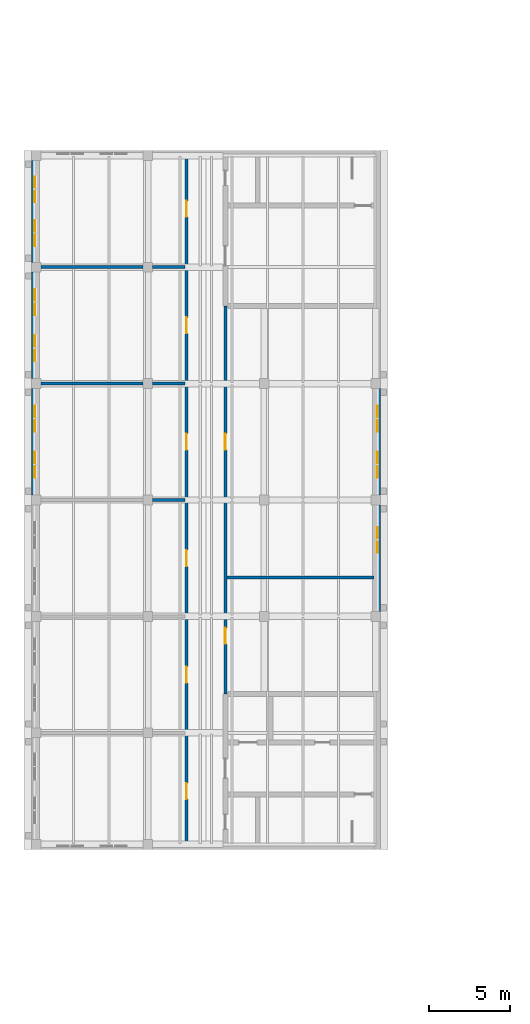
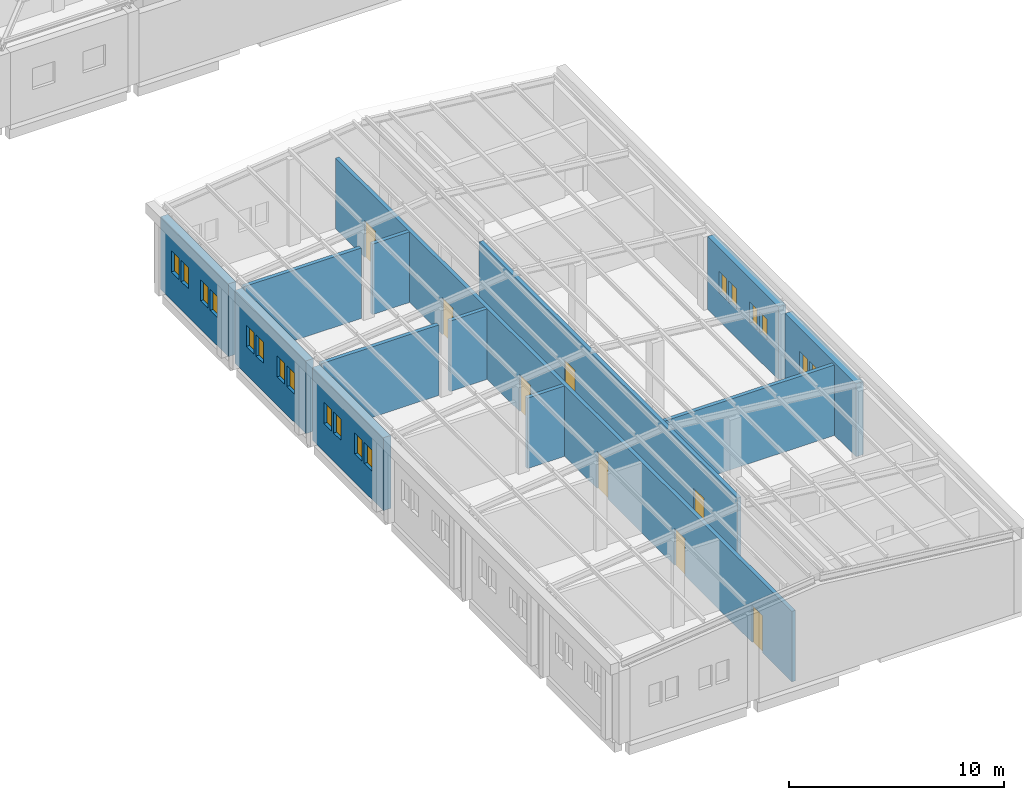
# One storey, part 31 of 48: 18 windows, 13 walls, 8 doors, 26 openings.
"""IFC4 building model written with IfcOpenShell, lengths in metres."""

from ifc_helpers import new_model, si_unit, direction, frame, frame_2d, origin, place, context, subcontext, project, spatial, rectangle, extrude, material, layer, layer_set, type_object, element, fill, save


model = new_model("IFC4")

# Units and contexts
model_context = context("Model", 3, precision=1e-05, world=origin(), true_north=direction((0.0, 1.0)))
body_context = subcontext(model_context, "Body", "Model", "MODEL_VIEW")
ifc_project = project(units=[si_unit("LENGTHUNIT", "METRE"), si_unit("AREAUNIT", "SQUARE_METRE"), si_unit("VOLUMEUNIT", "CUBIC_METRE"), si_unit("PLANEANGLEUNIT", "RADIAN"), si_unit("MASSUNIT", "GRAM", prefix="KILO")], contexts=[model_context])

# Site, building, storey
site_placement = place(None, origin())
site = spatial("IfcSite", under=ifc_project, at=site_placement, CompositionType="ELEMENT")
building_placement = place(site_placement, origin())
building = spatial("IfcBuilding", under=site, at=building_placement, Name="Alderwick Market Hall", CompositionType="ELEMENT")
storey_placement = place(building_placement, frame((0.0, 0.0, 14.39990234375)))
storey = spatial("IfcBuildingStorey", under=building, at=storey_placement, Name="L02", CompositionType="ELEMENT", Elevation=14.39990234375)

# Wall, openings, windows
ifc_material_1 = material(Name="Face brick", Category="masonry")
ifc_layer_1 = layer(ifc_material_1, 0.39990234375)
ifc_layer_set_1 = layer_set([ifc_layer_1], Name="Face brick")
wall_type_1 = type_object("IfcWallType", Name="B Brick Cavity Wall 400", PredefinedType="SOLIDWALL", material=ifc_layer_set_1)
wall_1_placement = place(storey_placement, frame((21.800048828125, 50.699951171875, 0.0), z_axis=(0.0, 0.0, 1.0), x_axis=(0.0, 1.0, 0.0)))
wall_1 = element("IfcWall", 1, at=wall_1_placement, inside=storey, type_object=wall_type_1, Name="B.S.wall.L02.023", PredefinedType="SOLIDWALL", context=body_context, shape_type="SweptSolid", body=[
    extrude(rectangle(XDim=6.60009765625, YDim=0.39990234375, at=frame_2d((3.300048828125, 0.0))), origin(), (0.0, 0.0, 1.0), 4.133056640625),
])
opening_1_placement = place(wall_1_placement, frame((1.074951171875, 0.0, 1.60009765625)))
opening_1 = element("IfcOpeningElement", 2, at=opening_1_placement, cuts=wall_1, Name="Opening B-W168", PredefinedType="OPENING", context=body_context, shape_type="SweptSolid", body=[
    extrude(rectangle(XDim=0.699951171875, YDim=1.199951171875, at=frame_2d((0.35009765625, 0.60009765625))), frame((0.0, 0.2099609375, 0.0), z_axis=(0.0, -1.0, 0.0), x_axis=(1.0, 0.0, 0.0)), (0.0, 0.0, 1.0), 0.419921875),
])
opening_2_placement = place(wall_1_placement, frame((1.97509765625, 0.0, 1.60009765625)))
opening_2 = element("IfcOpeningElement", 3, at=opening_2_placement, cuts=wall_1, Name="Opening B-W169", PredefinedType="OPENING", context=body_context, shape_type="SweptSolid", body=[
    extrude(rectangle(XDim=0.699951171875, YDim=1.199951171875, at=frame_2d((0.35009765625, 0.60009765625))), frame((0.0, 0.2099609375, 0.0), z_axis=(0.0, -1.0, 0.0), x_axis=(1.0, 0.0, 0.0)), (0.0, 0.0, 1.0), 0.419921875),
])
opening_3_placement = place(wall_1_placement, frame((3.925048828125, 0.0, 1.60009765625)))
opening_3 = element("IfcOpeningElement", 4, at=opening_3_placement, cuts=wall_1, Name="Opening B-W170", PredefinedType="OPENING", context=body_context, shape_type="SweptSolid", body=[
    extrude(rectangle(XDim=0.699951171875, YDim=1.199951171875, at=frame_2d((0.35009765625, 0.60009765625))), frame((0.0, 0.2099609375, 0.0), z_axis=(0.0, -1.0, 0.0), x_axis=(1.0, 0.0, 0.0)), (0.0, 0.0, 1.0), 0.419921875),
])
opening_4_placement = place(wall_1_placement, frame((4.824951171875, 0.0, 1.60009765625)))
opening_4 = element("IfcOpeningElement", 5, at=opening_4_placement, cuts=wall_1, Name="Opening B-W171", PredefinedType="OPENING", context=body_context, shape_type="SweptSolid", body=[
    extrude(rectangle(XDim=0.699951171875, YDim=1.199951171875, at=frame_2d((0.35009765625, 0.60009765625))), frame((0.0, 0.2099609375, 0.0), z_axis=(0.0, -1.0, 0.0), x_axis=(1.0, 0.0, 0.0)), (0.0, 0.0, 1.0), 0.419921875),
])
ifc_material_2 = material(Name="Aluminium frame", Category="aluminium")
window_type = type_object("IfcWindowType", Name="B Attic Window 700x1200", PartitioningType="SINGLE_PANEL", PredefinedType="WINDOW", material=ifc_material_2)
window_1_placement = place(opening_1_placement, origin())
window_1 = element("IfcWindow", 6, at=window_1_placement, inside=storey, type_object=window_type, Name="Window B-W168", OverallHeight=1.199951171875, OverallWidth=0.699951171875, PartitioningType="SINGLE_PANEL", PredefinedType="WINDOW", context=body_context, shape_type="SweptSolid", body=[
    extrude(rectangle(XDim=0.699951171875, YDim=1.199951171875, at=frame_2d((0.35009765625, 0.60009765625))), frame((0.0, 0.030029296875, 0.0), z_axis=(0.0, -1.0, 0.0), x_axis=(1.0, 0.0, 0.0)), (0.0, 0.0, 1.0), 0.06005859375),
])
fill(opening_1, window_1)
window_2_placement = place(opening_2_placement, origin())
window_2 = element("IfcWindow", 7, at=window_2_placement, inside=storey, type_object=window_type, Name="Window B-W169", OverallHeight=1.199951171875, OverallWidth=0.699951171875, PartitioningType="SINGLE_PANEL", PredefinedType="WINDOW", context=body_context, shape_type="SweptSolid", body=[
    extrude(rectangle(XDim=0.699951171875, YDim=1.199951171875, at=frame_2d((0.35009765625, 0.60009765625))), frame((0.0, 0.030029296875, 0.0), z_axis=(0.0, -1.0, 0.0), x_axis=(1.0, 0.0, 0.0)), (0.0, 0.0, 1.0), 0.06005859375),
])
fill(opening_2, window_2)
window_3_placement = place(opening_3_placement, origin())
window_3 = element("IfcWindow", 8, at=window_3_placement, inside=storey, type_object=window_type, Name="Window B-W170", OverallHeight=1.199951171875, OverallWidth=0.699951171875, PartitioningType="SINGLE_PANEL", PredefinedType="WINDOW", context=body_context, shape_type="SweptSolid", body=[
    extrude(rectangle(XDim=0.699951171875, YDim=1.199951171875, at=frame_2d((0.35009765625, 0.60009765625))), frame((0.0, 0.030029296875, 0.0), z_axis=(0.0, -1.0, 0.0), x_axis=(1.0, 0.0, 0.0)), (0.0, 0.0, 1.0), 0.06005859375),
])
fill(opening_3, window_3)
window_4_placement = place(opening_4_placement, origin())
window_4 = element("IfcWindow", 9, at=window_4_placement, inside=storey, type_object=window_type, Name="Window B-W171", OverallHeight=1.199951171875, OverallWidth=0.699951171875, PartitioningType="SINGLE_PANEL", PredefinedType="WINDOW", context=body_context, shape_type="SweptSolid", body=[
    extrude(rectangle(XDim=0.699951171875, YDim=1.199951171875, at=frame_2d((0.35009765625, 0.60009765625))), frame((0.0, 0.030029296875, 0.0), z_axis=(0.0, -1.0, 0.0), x_axis=(1.0, 0.0, 0.0)), (0.0, 0.0, 1.0), 0.06005859375),
])
fill(opening_4, window_4)

wall_2_placement = place(storey_placement, frame((21.800048828125, 57.89990234375, 0.0), z_axis=(0.0, 0.0, 1.0), x_axis=(0.0, 1.0, 0.0)))
wall_2 = element("IfcWall", 10, at=wall_2_placement, inside=storey, type_object=wall_type_1, Name="B.S.wall.L02.024", PredefinedType="SOLIDWALL", context=body_context, shape_type="SweptSolid", body=[
    extrude(rectangle(XDim=6.60009765625, YDim=0.39990234375, at=frame_2d((3.300048828125, 0.0))), origin(), (0.0, 0.0, 1.0), 4.133056640625),
])
opening_5_placement = place(wall_2_placement, frame((1.074951171875, 0.0, 1.60009765625)))
opening_5 = element("IfcOpeningElement", 11, at=opening_5_placement, cuts=wall_2, Name="Opening B-W172", PredefinedType="OPENING", context=body_context, shape_type="SweptSolid", body=[
    extrude(rectangle(XDim=0.699951171875, YDim=1.199951171875, at=frame_2d((0.35009765625, 0.60009765625))), frame((0.0, 0.2099609375, 0.0), z_axis=(0.0, -1.0, 0.0), x_axis=(1.0, 0.0, 0.0)), (0.0, 0.0, 1.0), 0.419921875),
])
opening_6_placement = place(wall_2_placement, frame((1.97509765625, 0.0, 1.60009765625)))
opening_6 = element("IfcOpeningElement", 12, at=opening_6_placement, cuts=wall_2, Name="Opening B-W173", PredefinedType="OPENING", context=body_context, shape_type="SweptSolid", body=[
    extrude(rectangle(XDim=0.699951171875, YDim=1.199951171875, at=frame_2d((0.35009765625, 0.60009765625))), frame((0.0, 0.2099609375, 0.0), z_axis=(0.0, -1.0, 0.0), x_axis=(1.0, 0.0, 0.0)), (0.0, 0.0, 1.0), 0.419921875),
])
opening_7_placement = place(wall_2_placement, frame((3.925048828125, 0.0, 1.60009765625)))
opening_7 = element("IfcOpeningElement", 13, at=opening_7_placement, cuts=wall_2, Name="Opening B-W174", PredefinedType="OPENING", context=body_context, shape_type="SweptSolid", body=[
    extrude(rectangle(XDim=0.699951171875, YDim=1.199951171875, at=frame_2d((0.35009765625, 0.60009765625))), frame((0.0, 0.2099609375, 0.0), z_axis=(0.0, -1.0, 0.0), x_axis=(1.0, 0.0, 0.0)), (0.0, 0.0, 1.0), 0.419921875),
])
opening_8_placement = place(wall_2_placement, frame((4.824951171875, 0.0, 1.60009765625)))
opening_8 = element("IfcOpeningElement", 14, at=opening_8_placement, cuts=wall_2, Name="Opening B-W175", PredefinedType="OPENING", context=body_context, shape_type="SweptSolid", body=[
    extrude(rectangle(XDim=0.699951171875, YDim=1.199951171875, at=frame_2d((0.35009765625, 0.60009765625))), frame((0.0, 0.2099609375, 0.0), z_axis=(0.0, -1.0, 0.0), x_axis=(1.0, 0.0, 0.0)), (0.0, 0.0, 1.0), 0.419921875),
])
window_5_placement = place(opening_5_placement, origin())
window_5 = element("IfcWindow", 15, at=window_5_placement, inside=storey, type_object=window_type, Name="Window B-W172", OverallHeight=1.199951171875, OverallWidth=0.699951171875, PartitioningType="SINGLE_PANEL", PredefinedType="WINDOW", context=body_context, shape_type="SweptSolid", body=[
    extrude(rectangle(XDim=0.699951171875, YDim=1.199951171875, at=frame_2d((0.35009765625, 0.60009765625))), frame((0.0, 0.030029296875, 0.0), z_axis=(0.0, -1.0, 0.0), x_axis=(1.0, 0.0, 0.0)), (0.0, 0.0, 1.0), 0.06005859375),
])
fill(opening_5, window_5)
window_6_placement = place(opening_6_placement, origin())
window_6 = element("IfcWindow", 16, at=window_6_placement, inside=storey, type_object=window_type, Name="Window B-W173", OverallHeight=1.199951171875, OverallWidth=0.699951171875, PartitioningType="SINGLE_PANEL", PredefinedType="WINDOW", context=body_context, shape_type="SweptSolid", body=[
    extrude(rectangle(XDim=0.699951171875, YDim=1.199951171875, at=frame_2d((0.35009765625, 0.60009765625))), frame((0.0, 0.030029296875, 0.0), z_axis=(0.0, -1.0, 0.0), x_axis=(1.0, 0.0, 0.0)), (0.0, 0.0, 1.0), 0.06005859375),
])
fill(opening_6, window_6)
window_7_placement = place(opening_7_placement, origin())
window_7 = element("IfcWindow", 17, at=window_7_placement, inside=storey, type_object=window_type, Name="Window B-W174", OverallHeight=1.199951171875, OverallWidth=0.699951171875, PartitioningType="SINGLE_PANEL", PredefinedType="WINDOW", context=body_context, shape_type="SweptSolid", body=[
    extrude(rectangle(XDim=0.699951171875, YDim=1.199951171875, at=frame_2d((0.35009765625, 0.60009765625))), frame((0.0, 0.030029296875, 0.0), z_axis=(0.0, -1.0, 0.0), x_axis=(1.0, 0.0, 0.0)), (0.0, 0.0, 1.0), 0.06005859375),
])
fill(opening_7, window_7)
window_8_placement = place(opening_8_placement, origin())
window_8 = element("IfcWindow", 18, at=window_8_placement, inside=storey, type_object=window_type, Name="Window B-W175", OverallHeight=1.199951171875, OverallWidth=0.699951171875, PartitioningType="SINGLE_PANEL", PredefinedType="WINDOW", context=body_context, shape_type="SweptSolid", body=[
    extrude(rectangle(XDim=0.699951171875, YDim=1.199951171875, at=frame_2d((0.35009765625, 0.60009765625))), frame((0.0, 0.030029296875, 0.0), z_axis=(0.0, -1.0, 0.0), x_axis=(1.0, 0.0, 0.0)), (0.0, 0.0, 1.0), 0.06005859375),
])
fill(opening_8, window_8)

wall_3_placement = place(storey_placement, frame((21.800048828125, 65.10009765625, 0.0), z_axis=(0.0, 0.0, 1.0), x_axis=(0.0, 1.0, 0.0)))
wall_3 = element("IfcWall", 19, at=wall_3_placement, inside=storey, type_object=wall_type_1, Name="B.S.wall.L02.025", PredefinedType="SOLIDWALL", context=body_context, shape_type="SweptSolid", body=[
    extrude(rectangle(XDim=6.2998046875, YDim=0.39990234375, at=frame_2d((3.14990234375, 0.0))), origin(), (0.0, 0.0, 1.0), 4.133056640625),
])
opening_9_placement = place(wall_3_placement, frame((1.0, 0.0, 1.60009765625)))
opening_9 = element("IfcOpeningElement", 20, at=opening_9_placement, cuts=wall_3, Name="Opening B-W176", PredefinedType="OPENING", context=body_context, shape_type="SweptSolid", body=[
    extrude(rectangle(XDim=0.699951171875, YDim=1.199951171875, at=frame_2d((0.35009765625, 0.60009765625))), frame((0.0, 0.2099609375, 0.0), z_axis=(0.0, -1.0, 0.0), x_axis=(1.0, 0.0, 0.0)), (0.0, 0.0, 1.0), 0.419921875),
])
opening_10_placement = place(wall_3_placement, frame((1.89990234375, 0.0, 1.60009765625)))
opening_10 = element("IfcOpeningElement", 21, at=opening_10_placement, cuts=wall_3, Name="Opening B-W177", PredefinedType="OPENING", context=body_context, shape_type="SweptSolid", body=[
    extrude(rectangle(XDim=0.699951171875, YDim=1.199951171875, at=frame_2d((0.35009765625, 0.60009765625))), frame((0.0, 0.2099609375, 0.0), z_axis=(0.0, -1.0, 0.0), x_axis=(1.0, 0.0, 0.0)), (0.0, 0.0, 1.0), 0.419921875),
])
opening_11_placement = place(wall_3_placement, frame((3.699951171875, 0.0, 1.60009765625)))
opening_11 = element("IfcOpeningElement", 22, at=opening_11_placement, cuts=wall_3, Name="Opening B-W178", PredefinedType="OPENING", context=body_context, shape_type="SweptSolid", body=[
    extrude(rectangle(XDim=0.699951171875, YDim=1.199951171875, at=frame_2d((0.35009765625, 0.60009765625))), frame((0.0, 0.2099609375, 0.0), z_axis=(0.0, -1.0, 0.0), x_axis=(1.0, 0.0, 0.0)), (0.0, 0.0, 1.0), 0.419921875),
])
opening_12_placement = place(wall_3_placement, frame((4.60009765625, 0.0, 1.60009765625)))
opening_12 = element("IfcOpeningElement", 23, at=opening_12_placement, cuts=wall_3, Name="Opening B-W179", PredefinedType="OPENING", context=body_context, shape_type="SweptSolid", body=[
    extrude(rectangle(XDim=0.699951171875, YDim=1.199951171875, at=frame_2d((0.35009765625, 0.60009765625))), frame((0.0, 0.2099609375, 0.0), z_axis=(0.0, -1.0, 0.0), x_axis=(1.0, 0.0, 0.0)), (0.0, 0.0, 1.0), 0.419921875),
])
window_9_placement = place(opening_9_placement, origin())
window_9 = element("IfcWindow", 24, at=window_9_placement, inside=storey, type_object=window_type, Name="Window B-W176", OverallHeight=1.199951171875, OverallWidth=0.699951171875, PartitioningType="SINGLE_PANEL", PredefinedType="WINDOW", context=body_context, shape_type="SweptSolid", body=[
    extrude(rectangle(XDim=0.699951171875, YDim=1.199951171875, at=frame_2d((0.35009765625, 0.60009765625))), frame((0.0, 0.030029296875, 0.0), z_axis=(0.0, -1.0, 0.0), x_axis=(1.0, 0.0, 0.0)), (0.0, 0.0, 1.0), 0.06005859375),
])
fill(opening_9, window_9)
window_10_placement = place(opening_10_placement, origin())
window_10 = element("IfcWindow", 25, at=window_10_placement, inside=storey, type_object=window_type, Name="Window B-W177", OverallHeight=1.199951171875, OverallWidth=0.699951171875, PartitioningType="SINGLE_PANEL", PredefinedType="WINDOW", context=body_context, shape_type="SweptSolid", body=[
    extrude(rectangle(XDim=0.699951171875, YDim=1.199951171875, at=frame_2d((0.35009765625, 0.60009765625))), frame((0.0, 0.030029296875, 0.0), z_axis=(0.0, -1.0, 0.0), x_axis=(1.0, 0.0, 0.0)), (0.0, 0.0, 1.0), 0.06005859375),
])
fill(opening_10, window_10)
window_11_placement = place(opening_11_placement, origin())
window_11 = element("IfcWindow", 26, at=window_11_placement, inside=storey, type_object=window_type, Name="Window B-W178", OverallHeight=1.199951171875, OverallWidth=0.699951171875, PartitioningType="SINGLE_PANEL", PredefinedType="WINDOW", context=body_context, shape_type="SweptSolid", body=[
    extrude(rectangle(XDim=0.699951171875, YDim=1.199951171875, at=frame_2d((0.35009765625, 0.60009765625))), frame((0.0, 0.030029296875, 0.0), z_axis=(0.0, -1.0, 0.0), x_axis=(1.0, 0.0, 0.0)), (0.0, 0.0, 1.0), 0.06005859375),
])
fill(opening_11, window_11)
window_12_placement = place(opening_12_placement, origin())
window_12 = element("IfcWindow", 27, at=window_12_placement, inside=storey, type_object=window_type, Name="Window B-W179", OverallHeight=1.199951171875, OverallWidth=0.699951171875, PartitioningType="SINGLE_PANEL", PredefinedType="WINDOW", context=body_context, shape_type="SweptSolid", body=[
    extrude(rectangle(XDim=0.699951171875, YDim=1.199951171875, at=frame_2d((0.35009765625, 0.60009765625))), frame((0.0, 0.030029296875, 0.0), z_axis=(0.0, -1.0, 0.0), x_axis=(1.0, 0.0, 0.0)), (0.0, 0.0, 1.0), 0.06005859375),
])
fill(opening_12, window_12)

wall_4_placement = place(storey_placement, frame((43.0, 43.5, 0.0), z_axis=(0.0, 0.0, 1.0), x_axis=(0.0, 1.0, 0.0)))
wall_4 = element("IfcWall", 28, at=wall_4_placement, inside=storey, type_object=wall_type_1, Name="B.S.wall.L02.034", PredefinedType="SOLIDWALL", context=body_context, shape_type="SweptSolid", body=[
    extrude(rectangle(XDim=6.60009765625, YDim=0.39990234375, at=frame_2d((3.300048828125, 0.0))), origin(), (0.0, 0.0, 1.0), 4.133056640625),
])
opening_13_placement = place(wall_4_placement, frame((3.625, 0.0, 1.60009765625)))
opening_13 = element("IfcOpeningElement", 29, at=opening_13_placement, cuts=wall_4, Name="Opening B-W180", PredefinedType="OPENING", context=body_context, shape_type="SweptSolid", body=[
    extrude(rectangle(XDim=0.699951171875, YDim=1.199951171875, at=frame_2d((0.35009765625, 0.60009765625))), frame((0.0, 0.2099609375, 0.0), z_axis=(0.0, -1.0, 0.0), x_axis=(1.0, 0.0, 0.0)), (0.0, 0.0, 1.0), 0.419921875),
])
opening_14_placement = place(wall_4_placement, frame((4.52490234375, 0.0, 1.60009765625)))
opening_14 = element("IfcOpeningElement", 30, at=opening_14_placement, cuts=wall_4, Name="Opening B-W181", PredefinedType="OPENING", context=body_context, shape_type="SweptSolid", body=[
    extrude(rectangle(XDim=0.699951171875, YDim=1.199951171875, at=frame_2d((0.35009765625, 0.60009765625))), frame((0.0, 0.2099609375, 0.0), z_axis=(0.0, -1.0, 0.0), x_axis=(1.0, 0.0, 0.0)), (0.0, 0.0, 1.0), 0.419921875),
])
window_13_placement = place(opening_13_placement, origin())
window_13 = element("IfcWindow", 31, at=window_13_placement, inside=storey, type_object=window_type, Name="Window B-W180", OverallHeight=1.199951171875, OverallWidth=0.699951171875, PartitioningType="SINGLE_PANEL", PredefinedType="WINDOW", context=body_context, shape_type="SweptSolid", body=[
    extrude(rectangle(XDim=0.699951171875, YDim=1.199951171875, at=frame_2d((0.35009765625, 0.60009765625))), frame((0.0, 0.030029296875, 0.0), z_axis=(0.0, -1.0, 0.0), x_axis=(1.0, 0.0, 0.0)), (0.0, 0.0, 1.0), 0.06005859375),
])
fill(opening_13, window_13)
window_14_placement = place(opening_14_placement, origin())
window_14 = element("IfcWindow", 32, at=window_14_placement, inside=storey, type_object=window_type, Name="Window B-W181", OverallHeight=1.199951171875, OverallWidth=0.699951171875, PartitioningType="SINGLE_PANEL", PredefinedType="WINDOW", context=body_context, shape_type="SweptSolid", body=[
    extrude(rectangle(XDim=0.699951171875, YDim=1.199951171875, at=frame_2d((0.35009765625, 0.60009765625))), frame((0.0, 0.030029296875, 0.0), z_axis=(0.0, -1.0, 0.0), x_axis=(1.0, 0.0, 0.0)), (0.0, 0.0, 1.0), 0.06005859375),
])
fill(opening_14, window_14)

wall_5_placement = place(storey_placement, frame((43.0, 50.699951171875, 0.0), z_axis=(0.0, 0.0, 1.0), x_axis=(0.0, 1.0, 0.0)))
wall_5 = element("IfcWall", 33, at=wall_5_placement, inside=storey, type_object=wall_type_1, Name="B.S.wall.L02.035", PredefinedType="SOLIDWALL", context=body_context, shape_type="SweptSolid", body=[
    extrude(rectangle(XDim=6.60009765625, YDim=0.39990234375, at=frame_2d((3.300048828125, 0.0))), origin(), (0.0, 0.0, 1.0), 4.133056640625),
])
opening_15_placement = place(wall_5_placement, frame((1.074951171875, 0.0, 1.60009765625)))
opening_15 = element("IfcOpeningElement", 34, at=opening_15_placement, cuts=wall_5, Name="Opening B-W182", PredefinedType="OPENING", context=body_context, shape_type="SweptSolid", body=[
    extrude(rectangle(XDim=0.699951171875, YDim=1.199951171875, at=frame_2d((0.35009765625, 0.60009765625))), frame((0.0, 0.2099609375, 0.0), z_axis=(0.0, -1.0, 0.0), x_axis=(1.0, 0.0, 0.0)), (0.0, 0.0, 1.0), 0.419921875),
])
opening_16_placement = place(wall_5_placement, frame((1.97509765625, 0.0, 1.60009765625)))
opening_16 = element("IfcOpeningElement", 35, at=opening_16_placement, cuts=wall_5, Name="Opening B-W183", PredefinedType="OPENING", context=body_context, shape_type="SweptSolid", body=[
    extrude(rectangle(XDim=0.699951171875, YDim=1.199951171875, at=frame_2d((0.35009765625, 0.60009765625))), frame((0.0, 0.2099609375, 0.0), z_axis=(0.0, -1.0, 0.0), x_axis=(1.0, 0.0, 0.0)), (0.0, 0.0, 1.0), 0.419921875),
])
opening_17_placement = place(wall_5_placement, frame((3.925048828125, 0.0, 1.60009765625)))
opening_17 = element("IfcOpeningElement", 36, at=opening_17_placement, cuts=wall_5, Name="Opening B-W184", PredefinedType="OPENING", context=body_context, shape_type="SweptSolid", body=[
    extrude(rectangle(XDim=0.699951171875, YDim=1.199951171875, at=frame_2d((0.35009765625, 0.60009765625))), frame((0.0, 0.2099609375, 0.0), z_axis=(0.0, -1.0, 0.0), x_axis=(1.0, 0.0, 0.0)), (0.0, 0.0, 1.0), 0.419921875),
])
opening_18_placement = place(wall_5_placement, frame((4.824951171875, 0.0, 1.60009765625)))
opening_18 = element("IfcOpeningElement", 37, at=opening_18_placement, cuts=wall_5, Name="Opening B-W185", PredefinedType="OPENING", context=body_context, shape_type="SweptSolid", body=[
    extrude(rectangle(XDim=0.699951171875, YDim=1.199951171875, at=frame_2d((0.35009765625, 0.60009765625))), frame((0.0, 0.2099609375, 0.0), z_axis=(0.0, -1.0, 0.0), x_axis=(1.0, 0.0, 0.0)), (0.0, 0.0, 1.0), 0.419921875),
])
window_15_placement = place(opening_15_placement, origin())
window_15 = element("IfcWindow", 38, at=window_15_placement, inside=storey, type_object=window_type, Name="Window B-W182", OverallHeight=1.199951171875, OverallWidth=0.699951171875, PartitioningType="SINGLE_PANEL", PredefinedType="WINDOW", context=body_context, shape_type="SweptSolid", body=[
    extrude(rectangle(XDim=0.699951171875, YDim=1.199951171875, at=frame_2d((0.35009765625, 0.60009765625))), frame((0.0, 0.030029296875, 0.0), z_axis=(0.0, -1.0, 0.0), x_axis=(1.0, 0.0, 0.0)), (0.0, 0.0, 1.0), 0.06005859375),
])
fill(opening_15, window_15)
window_16_placement = place(opening_16_placement, origin())
window_16 = element("IfcWindow", 39, at=window_16_placement, inside=storey, type_object=window_type, Name="Window B-W183", OverallHeight=1.199951171875, OverallWidth=0.699951171875, PartitioningType="SINGLE_PANEL", PredefinedType="WINDOW", context=body_context, shape_type="SweptSolid", body=[
    extrude(rectangle(XDim=0.699951171875, YDim=1.199951171875, at=frame_2d((0.35009765625, 0.60009765625))), frame((0.0, 0.030029296875, 0.0), z_axis=(0.0, -1.0, 0.0), x_axis=(1.0, 0.0, 0.0)), (0.0, 0.0, 1.0), 0.06005859375),
])
fill(opening_16, window_16)
window_17_placement = place(opening_17_placement, origin())
window_17 = element("IfcWindow", 40, at=window_17_placement, inside=storey, type_object=window_type, Name="Window B-W184", OverallHeight=1.199951171875, OverallWidth=0.699951171875, PartitioningType="SINGLE_PANEL", PredefinedType="WINDOW", context=body_context, shape_type="SweptSolid", body=[
    extrude(rectangle(XDim=0.699951171875, YDim=1.199951171875, at=frame_2d((0.35009765625, 0.60009765625))), frame((0.0, 0.030029296875, 0.0), z_axis=(0.0, -1.0, 0.0), x_axis=(1.0, 0.0, 0.0)), (0.0, 0.0, 1.0), 0.06005859375),
])
fill(opening_17, window_17)
window_18_placement = place(opening_18_placement, origin())
window_18 = element("IfcWindow", 41, at=window_18_placement, inside=storey, type_object=window_type, Name="Window B-W185", OverallHeight=1.199951171875, OverallWidth=0.699951171875, PartitioningType="SINGLE_PANEL", PredefinedType="WINDOW", context=body_context, shape_type="SweptSolid", body=[
    extrude(rectangle(XDim=0.699951171875, YDim=1.199951171875, at=frame_2d((0.35009765625, 0.60009765625))), frame((0.0, 0.030029296875, 0.0), z_axis=(0.0, -1.0, 0.0), x_axis=(1.0, 0.0, 0.0)), (0.0, 0.0, 1.0), 0.06005859375),
])
fill(opening_18, window_18)

# Walls
ifc_material_3 = material(Name="Concrete masonry 3000 psi", Category="masonry")
ifc_layer_2 = layer(ifc_material_3, 0.199951171875)
ifc_layer_set_2 = layer_set([ifc_layer_2], Name="Concrete masonry 3000 psi")
wall_type_2 = type_object("IfcWallType", Name="B Masonry Partition 200", PredefinedType="PARTITIONING", material=ifc_layer_set_2)
wall_6_placement = place(storey_placement, frame((33.699951171875, 45.60009765625, 0.0), z_axis=(0.0, 0.0, 1.0), x_axis=(1.0, 0.0, 0.0)))
element("IfcWall", 42, at=wall_6_placement, inside=storey, type_object=wall_type_2, Name="B.S.wall.L02.009", PredefinedType="PARTITIONING", context=body_context, shape_type="SweptSolid", body=[
    extrude(rectangle(XDim=9.10009765625, YDim=0.199951171875, at=frame_2d((4.550048828125, 0.0))), origin(), (0.0, 0.0, 1.0), 4.0),
])
wall_7_placement = place(storey_placement, frame((29.10009765625, 50.39990234375, 0.0), z_axis=(0.0, 0.0, 1.0), x_axis=(1.0, 0.0, 0.0)))
element("IfcWall", 43, at=wall_7_placement, inside=storey, type_object=wall_type_2, Name="B.S.wall.L02.011", PredefinedType="PARTITIONING", context=body_context, shape_type="SweptSolid", body=[
    extrude(rectangle(XDim=2.0, YDim=0.199951171875, at=frame_2d((1.0, 0.0))), origin(), (0.0, 0.0, 1.0), 4.0),
])
wall_8_placement = place(storey_placement, frame((22.199951171875, 57.60009765625, 0.0), z_axis=(0.0, 0.0, 1.0), x_axis=(1.0, 0.0, 0.0)))
element("IfcWall", 44, at=wall_8_placement, inside=storey, type_object=wall_type_2, Name="B.S.wall.L02.012", PredefinedType="PARTITIONING", context=body_context, shape_type="SweptSolid", body=[
    extrude(rectangle(XDim=6.300048828125, YDim=0.199951171875, at=frame_2d((3.14990234375, 0.0))), origin(), (0.0, 0.0, 1.0), 4.0),
])
wall_9_placement = place(storey_placement, frame((29.10009765625, 57.60009765625, 0.0), z_axis=(0.0, 0.0, 1.0), x_axis=(1.0, 0.0, 0.0)))
element("IfcWall", 45, at=wall_9_placement, inside=storey, type_object=wall_type_2, Name="B.S.wall.L02.013", PredefinedType="PARTITIONING", context=body_context, shape_type="SweptSolid", body=[
    extrude(rectangle(XDim=2.0, YDim=0.199951171875, at=frame_2d((1.0, 0.0))), origin(), (0.0, 0.0, 1.0), 4.0),
])
wall_10_placement = place(storey_placement, frame((22.199951171875, 64.800048828125, 0.0), z_axis=(0.0, 0.0, 1.0), x_axis=(1.0, 0.0, 0.0)))
element("IfcWall", 46, at=wall_10_placement, inside=storey, type_object=wall_type_2, Name="B.S.wall.L02.015", PredefinedType="PARTITIONING", context=body_context, shape_type="SweptSolid", body=[
    extrude(rectangle(XDim=6.300048828125, YDim=0.199951171875, at=frame_2d((3.14990234375, 0.0))), origin(), (0.0, 0.0, 1.0), 4.0),
])
wall_11_placement = place(storey_placement, frame((29.10009765625, 64.800048828125, 0.0), z_axis=(0.0, 0.0, 1.0), x_axis=(1.0, 0.0, 0.0)))
element("IfcWall", 47, at=wall_11_placement, inside=storey, type_object=wall_type_2, Name="B.S.wall.L02.016", PredefinedType="PARTITIONING", context=body_context, shape_type="SweptSolid", body=[
    extrude(rectangle(XDim=2.0, YDim=0.199951171875, at=frame_2d((1.0, 0.0))), origin(), (0.0, 0.0, 1.0), 4.0),
])

# Wall, openings, doors
wall_12_placement = place(storey_placement, frame((31.199951171875, 29.199951171875, 0.0), z_axis=(0.0, 0.0, 1.0), x_axis=(0.0, 1.0, 0.0)))
wall_12 = element("IfcWall", 48, at=wall_12_placement, inside=storey, type_object=wall_type_2, Name="B.S.wall.L02.026", PredefinedType="PARTITIONING", context=body_context, shape_type="SweptSolid", body=[
    extrude(rectangle(XDim=42.400146484375, YDim=0.199951171875, at=frame_2d((21.2001953125, 0.0))), origin(), (0.0, 0.0, 1.0), 4.0),
])
opening_19_placement = place(wall_12_placement, frame((2.699951171875, 0.0, 0.0)))
opening_19 = element("IfcOpeningElement", 49, at=opening_19_placement, cuts=wall_12, Name="Opening B-D128", PredefinedType="OPENING", context=body_context, shape_type="SweptSolid", body=[
    extrude(rectangle(XDim=1.0, YDim=2.10009765625, at=frame_2d((0.5, 1.050048828125))), frame((0.0, 0.10986328125, 0.0), z_axis=(0.0, -1.0, 0.0), x_axis=(1.0, 0.0, 0.0)), (0.0, 0.0, 1.0), 0.219970703125),
])
opening_20_placement = place(wall_12_placement, frame((9.89990234375, 0.0, 0.0)))
opening_20 = element("IfcOpeningElement", 50, at=opening_20_placement, cuts=wall_12, Name="Opening B-D129", PredefinedType="OPENING", context=body_context, shape_type="SweptSolid", body=[
    extrude(rectangle(XDim=1.0, YDim=2.10009765625, at=frame_2d((0.5, 1.050048828125))), frame((0.0, 0.10986328125, 0.0), z_axis=(0.0, -1.0, 0.0), x_axis=(1.0, 0.0, 0.0)), (0.0, 0.0, 1.0), 0.219970703125),
])
opening_21_placement = place(wall_12_placement, frame((17.10009765625, 0.0, 0.0)))
opening_21 = element("IfcOpeningElement", 51, at=opening_21_placement, cuts=wall_12, Name="Opening B-D130", PredefinedType="OPENING", context=body_context, shape_type="SweptSolid", body=[
    extrude(rectangle(XDim=1.0, YDim=2.10009765625, at=frame_2d((0.5, 1.050048828125))), frame((0.0, 0.10986328125, 0.0), z_axis=(0.0, -1.0, 0.0), x_axis=(1.0, 0.0, 0.0)), (0.0, 0.0, 1.0), 0.219970703125),
])
opening_22_placement = place(wall_12_placement, frame((24.300048828125, 0.0, 0.0)))
opening_22 = element("IfcOpeningElement", 52, at=opening_22_placement, cuts=wall_12, Name="Opening B-D131", PredefinedType="OPENING", context=body_context, shape_type="SweptSolid", body=[
    extrude(rectangle(XDim=1.0, YDim=2.10009765625, at=frame_2d((0.5, 1.050048828125))), frame((0.0, 0.10986328125, 0.0), z_axis=(0.0, -1.0, 0.0), x_axis=(1.0, 0.0, 0.0)), (0.0, 0.0, 1.0), 0.219970703125),
])
opening_23_placement = place(wall_12_placement, frame((31.5, 0.0, 0.0)))
opening_23 = element("IfcOpeningElement", 53, at=opening_23_placement, cuts=wall_12, Name="Opening B-D132", PredefinedType="OPENING", context=body_context, shape_type="SweptSolid", body=[
    extrude(rectangle(XDim=1.0, YDim=2.10009765625, at=frame_2d((0.5, 1.050048828125))), frame((0.0, 0.10986328125, 0.0), z_axis=(0.0, -1.0, 0.0), x_axis=(1.0, 0.0, 0.0)), (0.0, 0.0, 1.0), 0.219970703125),
])
opening_24_placement = place(wall_12_placement, frame((38.699951171875, 0.0, 0.0)))
opening_24 = element("IfcOpeningElement", 54, at=opening_24_placement, cuts=wall_12, Name="Opening B-D133", PredefinedType="OPENING", context=body_context, shape_type="SweptSolid", body=[
    extrude(rectangle(XDim=1.0, YDim=2.10009765625, at=frame_2d((0.5, 1.050048828125))), frame((0.0, 0.10986328125, 0.0), z_axis=(0.0, -1.0, 0.0), x_axis=(1.0, 0.0, 0.0)), (0.0, 0.0, 1.0), 0.219970703125),
])
ifc_material_4 = material(Name="Hollow metal door and frame")
door_type = type_object("IfcDoorType", Name="B Door 1000x2100", OperationType="SINGLE_SWING_LEFT", PredefinedType="DOOR", material=ifc_material_4)
door_1_placement = place(opening_19_placement, origin())
door_1 = element("IfcDoor", 55, at=door_1_placement, inside=storey, type_object=door_type, Name="Market Office door", OperationType="SINGLE_SWING_RIGHT", OverallHeight=2.10009765625, OverallWidth=1.0, PredefinedType="DOOR", context=body_context, shape_type="SweptSolid", body=[
    extrude(rectangle(XDim=1.0, YDim=2.10009765625, at=frame_2d((0.5, 1.050048828125))), frame((0.0, 0.02490234375, 0.0), z_axis=(0.0, -1.0, 0.0), x_axis=(1.0, 0.0, 0.0)), (0.0, 0.0, 1.0), 0.050048828125),
])
fill(opening_19, door_1)
door_2_placement = place(opening_20_placement, origin())
door_2 = element("IfcDoor", 56, at=door_2_placement, inside=storey, type_object=door_type, Name="Market Office door", OperationType="SINGLE_SWING_LEFT", OverallHeight=2.10009765625, OverallWidth=1.0, PredefinedType="DOOR", context=body_context, shape_type="SweptSolid", body=[
    extrude(rectangle(XDim=1.0, YDim=2.10009765625, at=frame_2d((0.5, 1.050048828125))), frame((0.0, 0.02490234375, 0.0), z_axis=(0.0, -1.0, 0.0), x_axis=(1.0, 0.0, 0.0)), (0.0, 0.0, 1.0), 0.050048828125),
])
fill(opening_20, door_2)
door_3_placement = place(opening_21_placement, origin())
door_3 = element("IfcDoor", 57, at=door_3_placement, inside=storey, type_object=door_type, Name="Market Office door", OperationType="SINGLE_SWING_RIGHT", OverallHeight=2.10009765625, OverallWidth=1.0, PredefinedType="DOOR", context=body_context, shape_type="SweptSolid", body=[
    extrude(rectangle(XDim=1.0, YDim=2.10009765625, at=frame_2d((0.5, 1.050048828125))), frame((0.0, 0.02490234375, 0.0), z_axis=(0.0, -1.0, 0.0), x_axis=(1.0, 0.0, 0.0)), (0.0, 0.0, 1.0), 0.050048828125),
])
fill(opening_21, door_3)
door_4_placement = place(opening_22_placement, origin())
door_4 = element("IfcDoor", 58, at=door_4_placement, inside=storey, type_object=door_type, Name="Staff Kitchen door", OperationType="SINGLE_SWING_LEFT", OverallHeight=2.10009765625, OverallWidth=1.0, PredefinedType="DOOR", context=body_context, shape_type="SweptSolid", body=[
    extrude(rectangle(XDim=1.0, YDim=2.10009765625, at=frame_2d((0.5, 1.050048828125))), frame((0.0, 0.02490234375, 0.0), z_axis=(0.0, -1.0, 0.0), x_axis=(1.0, 0.0, 0.0)), (0.0, 0.0, 1.0), 0.050048828125),
])
fill(opening_22, door_4)
door_5_placement = place(opening_23_placement, origin())
door_5 = element("IfcDoor", 59, at=door_5_placement, inside=storey, type_object=door_type, Name="Meeting Room door", OperationType="SINGLE_SWING_RIGHT", OverallHeight=2.10009765625, OverallWidth=1.0, PredefinedType="DOOR", context=body_context, shape_type="SweptSolid", body=[
    extrude(rectangle(XDim=1.0, YDim=2.10009765625, at=frame_2d((0.5, 1.050048828125))), frame((0.0, 0.02490234375, 0.0), z_axis=(0.0, -1.0, 0.0), x_axis=(1.0, 0.0, 0.0)), (0.0, 0.0, 1.0), 0.050048828125),
])
fill(opening_23, door_5)
door_6_placement = place(opening_24_placement, origin())
door_6 = element("IfcDoor", 60, at=door_6_placement, inside=storey, type_object=door_type, Name="Staff WC door", OperationType="SINGLE_SWING_LEFT", OverallHeight=2.10009765625, OverallWidth=1.0, PredefinedType="DOOR", context=body_context, shape_type="SweptSolid", body=[
    extrude(rectangle(XDim=1.0, YDim=2.10009765625, at=frame_2d((0.5, 1.050048828125))), frame((0.0, 0.02490234375, 0.0), z_axis=(0.0, -1.0, 0.0), x_axis=(1.0, 0.0, 0.0)), (0.0, 0.0, 1.0), 0.050048828125),
])
fill(opening_24, door_6)

wall_13_placement = place(storey_placement, frame((33.60009765625, 38.39990234375, 0.0), z_axis=(0.0, 0.0, 1.0), x_axis=(0.0, 1.0, 0.0)))
wall_13 = element("IfcWall", 61, at=wall_13_placement, inside=storey, type_object=wall_type_2, Name="B.S.wall.L02.028", PredefinedType="PARTITIONING", context=body_context, shape_type="SweptSolid", body=[
    extrude(rectangle(XDim=24.0, YDim=0.199951171875, at=frame_2d((12.0, 0.0))), origin(), (0.0, 0.0, 1.0), 4.0),
])
opening_25_placement = place(wall_13_placement, frame((3.10009765625, 0.0, 0.0)))
opening_25 = element("IfcOpeningElement", 62, at=opening_25_placement, cuts=wall_13, Name="Opening B-D134", PredefinedType="OPENING", context=body_context, shape_type="SweptSolid", body=[
    extrude(rectangle(XDim=1.0, YDim=2.10009765625, at=frame_2d((0.5, 1.050048828125))), frame((0.0, 0.10986328125, 0.0), z_axis=(0.0, -1.0, 0.0), x_axis=(1.0, 0.0, 0.0)), (0.0, 0.0, 1.0), 0.219970703125),
])
opening_26_placement = place(wall_13_placement, frame((15.10009765625, 0.0, 0.0)))
opening_26 = element("IfcOpeningElement", 63, at=opening_26_placement, cuts=wall_13, Name="Opening B-D135", PredefinedType="OPENING", context=body_context, shape_type="SweptSolid", body=[
    extrude(rectangle(XDim=1.0, YDim=2.10009765625, at=frame_2d((0.5, 1.050048828125))), frame((0.0, 0.10986328125, 0.0), z_axis=(0.0, -1.0, 0.0), x_axis=(1.0, 0.0, 0.0)), (0.0, 0.0, 1.0), 0.219970703125),
])
door_7_placement = place(opening_25_placement, origin())
door_7 = element("IfcDoor", 64, at=door_7_placement, inside=storey, type_object=door_type, Name="Market Office door", OperationType="SINGLE_SWING_RIGHT", OverallHeight=2.10009765625, OverallWidth=1.0, PredefinedType="DOOR", context=body_context, shape_type="SweptSolid", body=[
    extrude(rectangle(XDim=1.0, YDim=2.10009765625, at=frame_2d((0.5, 1.050048828125))), frame((0.0, 0.02490234375, 0.0), z_axis=(0.0, -1.0, 0.0), x_axis=(1.0, 0.0, 0.0)), (0.0, 0.0, 1.0), 0.050048828125),
])
fill(opening_25, door_7)
door_8_placement = place(opening_26_placement, origin())
door_8 = element("IfcDoor", 65, at=door_8_placement, inside=storey, type_object=door_type, Name="Archive door", OperationType="SINGLE_SWING_LEFT", OverallHeight=2.10009765625, OverallWidth=1.0, PredefinedType="DOOR", context=body_context, shape_type="SweptSolid", body=[
    extrude(rectangle(XDim=1.0, YDim=2.10009765625, at=frame_2d((0.5, 1.050048828125))), frame((0.0, 0.02490234375, 0.0), z_axis=(0.0, -1.0, 0.0), x_axis=(1.0, 0.0, 0.0)), (0.0, 0.0, 1.0), 0.050048828125),
])
fill(opening_26, door_8)

save(model, "model.ifc")
